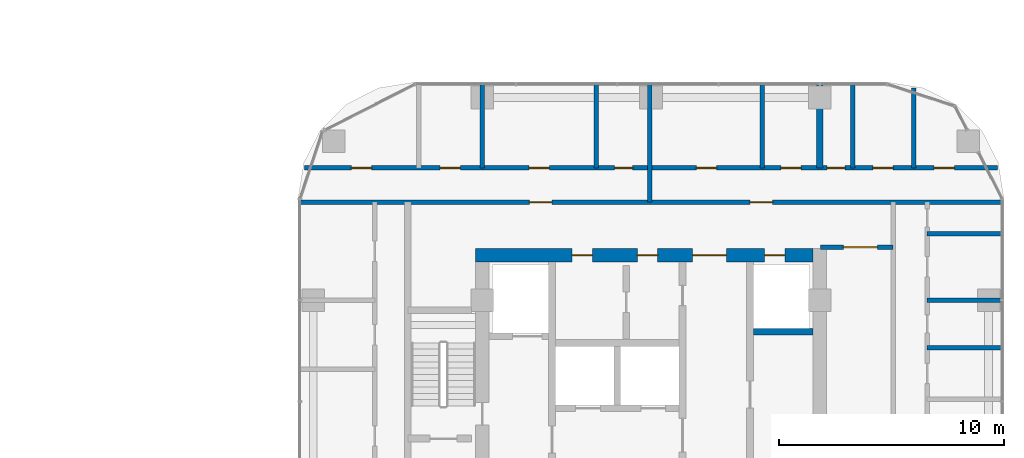
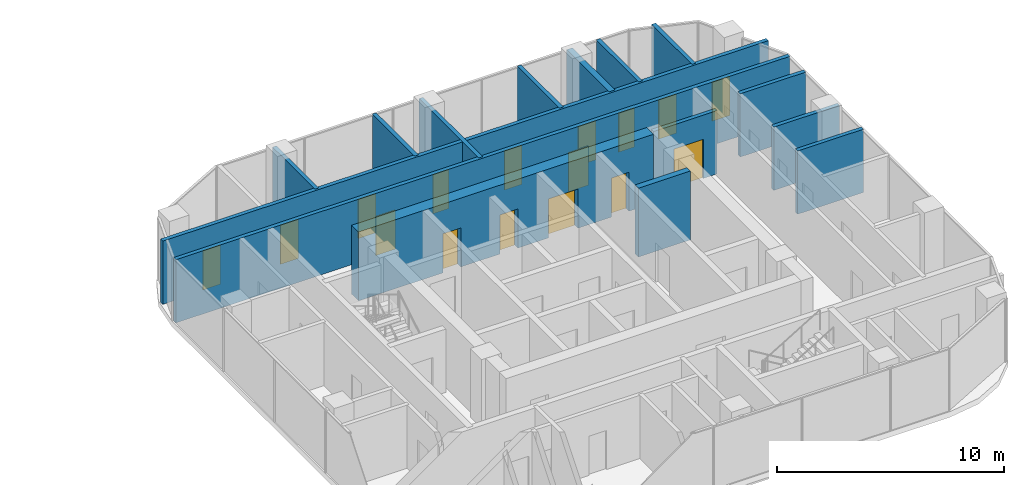
# One storey, part 23 of 31: 16 doors, 15 walls, 16 openings.
"""IFC4 building model written with IfcOpenShell, lengths in metres."""

from ifc_helpers import new_model, si_unit, direction, frame, frame_2d, origin, place, context, subcontext, project, spatial, rectangle, extrude, material, layer, layer_set, type_object, element, fill, save


model = new_model("IFC4")

# Units and contexts
model_context = context("Model", 3, precision=1e-05, world=origin(), true_north=direction((0.0, 1.0)))
body_context = subcontext(model_context, "Body", "Model", "MODEL_VIEW")
ifc_project = project(units=[si_unit("LENGTHUNIT", "METRE"), si_unit("AREAUNIT", "SQUARE_METRE"), si_unit("VOLUMEUNIT", "CUBIC_METRE"), si_unit("PLANEANGLEUNIT", "RADIAN"), si_unit("MASSUNIT", "GRAM", prefix="KILO")], contexts=[model_context])

# Site, building, storey
site_placement = place(None, origin())
site = spatial("IfcSite", under=ifc_project, at=site_placement, CompositionType="ELEMENT")
building_placement = place(site_placement, origin())
building = spatial("IfcBuilding", under=site, at=building_placement, Name="Ogive Portal Towers", CompositionType="ELEMENT")
storey_placement = place(building_placement, frame((0.0, 0.0, 40.89990234375)))
storey = spatial("IfcBuildingStorey", under=building, at=storey_placement, Name="L08", CompositionType="ELEMENT", Elevation=40.89990234375)

# Wall
ifc_material_1 = material(Name="Concrete C60/75", Category="concrete")
ifc_layer_1 = layer(ifc_material_1, 0.300048828125)
ifc_layer_set_1 = layer_set([ifc_layer_1], Name="CORE WALL 300 C60")
wall_type_1 = type_object("IfcWallType", Name="CORE WALL 300 C60", PredefinedType="SHEAR", material=ifc_layer_set_1)
wall_1_placement = place(storey_placement, frame((141.050048828125, 34.10009765625, 0.0), z_axis=(0.0, 0.0, 1.0), x_axis=(1.0, 0.0, 0.0)))
element("IfcWall", 1, at=wall_1_placement, inside=storey, type_object=wall_type_1, Name="Tower B core wall BY7 L08", PredefinedType="SHEAR", context=body_context, shape_type="SweptSolid", body=[
    extrude(rectangle(XDim=2.64990234375, YDim=0.300048828125, at=frame_2d((1.324951171875, 0.0))), origin(), (0.0, 0.0, 1.0), 3.7001953125),
])

# Wall, openings, doors
ifc_layer_2 = layer(ifc_material_1, 0.60009765625)
ifc_layer_set_2 = layer_set([ifc_layer_2], Name="CORE WALL 600 C60")
wall_type_2 = type_object("IfcWallType", Name="CORE WALL 600 C60", PredefinedType="SHEAR", material=ifc_layer_set_2)
wall_2_placement = place(storey_placement, frame((128.699951171875, 37.5, 0.0), z_axis=(0.0, 0.0, 1.0), x_axis=(1.0, 0.0, 0.0)))
wall_2 = element("IfcWall", 2, at=wall_2_placement, inside=storey, type_object=wall_type_2, Name="Tower B core wall BN L08", PredefinedType="SHEAR", context=body_context, shape_type="SweptSolid", body=[
    extrude(rectangle(XDim=15.0, YDim=0.60009765625, at=frame_2d((7.5, 0.0))), origin(), (0.0, 0.0, 1.0), 3.7001953125),
])
opening_1_placement = place(wall_2_placement, frame((9.64990234375, 0.0, 0.0)))
opening_1 = element("IfcOpeningElement", 3, at=opening_1_placement, cuts=wall_2, Name="Opening B01-048", PredefinedType="OPENING", context=body_context, shape_type="SweptSolid", body=[
    extrude(rectangle(XDim=1.5, YDim=2.10009765625, at=frame_2d((0.75, 1.050048828125))), frame((0.0, 0.31005859375, 0.0), z_axis=(0.0, -1.0, 0.0), x_axis=(1.0, 0.0, 0.0)), (0.0, 0.0, 1.0), 0.6201171875),
])
opening_2_placement = place(wall_2_placement, frame((12.85009765625, 0.0, 0.0)))
opening_2 = element("IfcOpeningElement", 4, at=opening_2_placement, cuts=wall_2, Name="Opening B01-050", PredefinedType="OPENING", context=body_context, shape_type="SweptSolid", body=[
    extrude(rectangle(XDim=0.89990234375, YDim=2.10009765625, at=frame_2d((0.449951171875, 1.050048828125))), frame((0.0, 0.31005859375, 0.0), z_axis=(0.0, -1.0, 0.0), x_axis=(1.0, 0.0, 0.0)), (0.0, 0.0, 1.0), 0.6201171875),
])
opening_3_placement = place(wall_2_placement, frame((4.300048828125, 0.0, 0.0)))
opening_3 = element("IfcOpeningElement", 5, at=opening_3_placement, cuts=wall_2, Name="Opening B01-057", PredefinedType="OPENING", context=body_context, shape_type="SweptSolid", body=[
    extrude(rectangle(XDim=0.89990234375, YDim=2.10009765625, at=frame_2d((0.449951171875, 1.050048828125))), frame((0.0, 0.31005859375, 0.0), z_axis=(0.0, -1.0, 0.0), x_axis=(1.0, 0.0, 0.0)), (0.0, 0.0, 1.0), 0.6201171875),
])
opening_4_placement = place(wall_2_placement, frame((7.199951171875, 0.0, 0.0)))
opening_4 = element("IfcOpeningElement", 6, at=opening_4_placement, cuts=wall_2, Name="Opening B01-058", PredefinedType="OPENING", context=body_context, shape_type="SweptSolid", body=[
    extrude(rectangle(XDim=0.89990234375, YDim=2.10009765625, at=frame_2d((0.449951171875, 1.050048828125))), frame((0.0, 0.31005859375, 0.0), z_axis=(0.0, -1.0, 0.0), x_axis=(1.0, 0.0, 0.0)), (0.0, 0.0, 1.0), 0.6201171875),
])
ifc_material_2 = material(Name="Steel fire door", Category="steel")
door_type_1 = type_object("IfcDoorType", Name="DT-SWING-1500x2100-FD90S", OperationType="SINGLE_SWING_LEFT", PredefinedType="DOOR", material=ifc_material_2)
door_1_placement = place(opening_1_placement, origin())
door_1 = element("IfcDoor", 7, at=door_1_placement, inside=storey, type_object=door_type_1, Name="Door B01-048", OperationType="SINGLE_SWING_RIGHT", OverallHeight=2.10009765625, OverallWidth=1.5, PredefinedType="DOOR", context=body_context, shape_type="SweptSolid", body=[
    extrude(rectangle(XDim=1.5, YDim=2.10009765625, at=frame_2d((0.75, 1.050048828125))), frame((0.0, 0.02490234375, 0.0), z_axis=(0.0, -1.0, 0.0), x_axis=(1.0, 0.0, 0.0)), (0.0, 0.0, 1.0), 0.050048828125),
])
fill(opening_1, door_1)
door_type_2 = type_object("IfcDoorType", Name="DT-SWING-900x2100-FD90S", OperationType="SINGLE_SWING_LEFT", PredefinedType="DOOR", material=ifc_material_2)
door_2_placement = place(opening_2_placement, origin())
door_2 = element("IfcDoor", 8, at=door_2_placement, inside=storey, type_object=door_type_2, Name="Riser access door B01-050", OperationType="SINGLE_SWING_RIGHT", OverallHeight=2.10009765625, OverallWidth=0.89990234375, PredefinedType="DOOR", context=body_context, shape_type="SweptSolid", body=[
    extrude(rectangle(XDim=0.89990234375, YDim=2.10009765625, at=frame_2d((0.449951171875, 1.050048828125))), frame((0.0, 0.02490234375, 0.0), z_axis=(0.0, -1.0, 0.0), x_axis=(1.0, 0.0, 0.0)), (0.0, 0.0, 1.0), 0.050048828125),
])
fill(opening_2, door_2)
door_3_placement = place(opening_3_placement, origin())
door_3 = element("IfcDoor", 9, at=door_3_placement, inside=storey, type_object=door_type_2, Name="Door B01-057", OperationType="SINGLE_SWING_LEFT", OverallHeight=2.10009765625, OverallWidth=0.89990234375, PredefinedType="DOOR", context=body_context, shape_type="SweptSolid", body=[
    extrude(rectangle(XDim=0.89990234375, YDim=2.10009765625, at=frame_2d((0.449951171875, 1.050048828125))), frame((0.0, 0.02490234375, 0.0), z_axis=(0.0, -1.0, 0.0), x_axis=(1.0, 0.0, 0.0)), (0.0, 0.0, 1.0), 0.050048828125),
])
fill(opening_3, door_3)
door_4_placement = place(opening_4_placement, origin())
door_4 = element("IfcDoor", 10, at=door_4_placement, inside=storey, type_object=door_type_2, Name="Door B01-058", OperationType="SINGLE_SWING_RIGHT", OverallHeight=2.10009765625, OverallWidth=0.89990234375, PredefinedType="DOOR", context=body_context, shape_type="SweptSolid", body=[
    extrude(rectangle(XDim=0.89990234375, YDim=2.10009765625, at=frame_2d((0.449951171875, 1.050048828125))), frame((0.0, 0.02490234375, 0.0), z_axis=(0.0, -1.0, 0.0), x_axis=(1.0, 0.0, 0.0)), (0.0, 0.0, 1.0), 0.050048828125),
])
fill(opening_4, door_4)

# Walls
ifc_material_3 = material(Name="Gypsum board partition on steel studs", Category="steel")
ifc_layer_3 = layer(ifc_material_3, 0.199951171875)
ifc_layer_set_3 = layer_set([ifc_layer_3], Name="WT-PART-200-EI 60")
wall_type_3 = type_object("IfcWallType", Name="WT-PART-200-EI 60", PredefinedType="PARTITIONING", material=ifc_layer_set_3)
for number, where, z_axis, x_axis, name in (
    (11, (148.77001953125, 33.39111328125, 0.0), (0.0, 0.0, 1.0), (1.0, 0.0, 0.0), "Wall L08:w013"),
    (12, (148.77001953125, 35.5, 0.0), (0.0, 0.0, 1.0), (1.0, 0.0, 0.0), "Wall L08:w016"),
):
    element("IfcWall", number, at=place(storey_placement, frame(where, z_axis=z_axis, x_axis=x_axis)), inside=storey, type_object=wall_type_3, Name=name, PredefinedType="PARTITIONING", context=body_context, shape_type="SweptSolid", body=[
        extrude(rectangle(XDim=3.340087890625, YDim=0.199951171875, at=frame_2d((1.669921875, 0.0))), origin(), (0.0, 0.0, 1.0), 3.400146484375),
    ])

# Wall, opening, door
wall_3_placement = place(storey_placement, frame((144.02001953125, 37.85009765625, 0.0), z_axis=(0.0, 0.0, 1.0), x_axis=(1.0, 0.0, 0.0)))
wall_3 = element("IfcWall", 13, at=wall_3_placement, inside=storey, type_object=wall_type_3, Name="Wall L08:w018", PredefinedType="PARTITIONING", context=body_context, shape_type="SweptSolid", body=[
    extrude(rectangle(XDim=3.22998046875, YDim=0.199951171875, at=frame_2d((1.614990234375, 0.0))), origin(), (0.0, 0.0, 1.0), 3.400146484375),
])
opening_5_placement = place(wall_3_placement, frame((1.030029296875, 0.0, 0.0)))
opening_5 = element("IfcOpeningElement", 14, at=opening_5_placement, cuts=wall_3, Name="Opening B01-001", PredefinedType="OPENING", context=body_context, shape_type="SweptSolid", body=[
    extrude(rectangle(XDim=1.5, YDim=2.10009765625, at=frame_2d((0.75, 1.050048828125))), frame((0.0, 0.10986328125, 0.0), z_axis=(0.0, -1.0, 0.0), x_axis=(1.0, 0.0, 0.0)), (0.0, 0.0, 1.0), 0.219970703125),
])
door_type_3 = type_object("IfcDoorType", Name="DT-SWING-1500x2100-FD60S", OperationType="SINGLE_SWING_LEFT", PredefinedType="DOOR", material=ifc_material_2)
door_5_placement = place(opening_5_placement, origin())
door_5 = element("IfcDoor", 15, at=door_5_placement, inside=storey, type_object=door_type_3, Name="Door B01-001", OperationType="SINGLE_SWING_LEFT", OverallHeight=2.10009765625, OverallWidth=1.5, PredefinedType="DOOR", context=body_context, shape_type="SweptSolid", body=[
    extrude(rectangle(XDim=1.5, YDim=2.10009765625, at=frame_2d((0.75, 1.050048828125))), frame((0.0, 0.02490234375, 0.0), z_axis=(0.0, -1.0, 0.0), x_axis=(1.0, 0.0, 0.0)), (0.0, 0.0, 1.0), 0.050048828125),
])
fill(opening_5, door_5)

# Wall
wall_4_placement = place(storey_placement, frame((148.77001953125, 38.4560546875, 0.0), z_axis=(0.0, 0.0, 1.0), x_axis=(1.0, 0.0, 0.0)))
element("IfcWall", 16, at=wall_4_placement, inside=storey, type_object=wall_type_3, Name="Wall L08:w019", PredefinedType="PARTITIONING", context=body_context, shape_type="SweptSolid", body=[
    extrude(rectangle(XDim=3.340087890625, YDim=0.199951171875, at=frame_2d((1.669921875, 0.0))), origin(), (0.0, 0.0, 1.0), 3.400146484375),
])

# Wall, openings, doors
wall_5_placement = place(storey_placement, frame((120.889892578125, 39.85009765625, 0.0), z_axis=(0.0, 0.0, 1.0), x_axis=(1.0, 0.0, 0.0)))
wall_5 = element("IfcWall", 17, at=wall_5_placement, inside=storey, type_object=wall_type_3, Name="Wall L08:w020", PredefinedType="PARTITIONING", context=body_context, shape_type="SweptSolid", body=[
    extrude(rectangle(XDim=31.22021484375, YDim=0.199951171875, at=frame_2d((15.610107421875, 0.0))), origin(), (0.0, 0.0, 1.0), 3.400146484375),
])
opening_6_placement = place(wall_5_placement, frame((10.2099609375, 0.0, 0.0)))
opening_6 = element("IfcOpeningElement", 18, at=opening_6_placement, cuts=wall_5, Name="Opening B01-005", PredefinedType="OPENING", context=body_context, shape_type="SweptSolid", body=[
    extrude(rectangle(XDim=1.0, YDim=2.10009765625, at=frame_2d((0.5, 1.050048828125))), frame((0.0, 0.10986328125, 0.0), z_axis=(0.0, -1.0, 0.0), x_axis=(1.0, 0.0, 0.0)), (0.0, 0.0, 1.0), 0.219970703125),
])
opening_7_placement = place(wall_5_placement, frame((20.010009765625, 0.0, 0.0)))
opening_7 = element("IfcOpeningElement", 19, at=opening_7_placement, cuts=wall_5, Name="Opening B01-010", PredefinedType="OPENING", context=body_context, shape_type="SweptSolid", body=[
    extrude(rectangle(XDim=1.0, YDim=2.10009765625, at=frame_2d((0.5, 1.050048828125))), frame((0.0, 0.10986328125, 0.0), z_axis=(0.0, -1.0, 0.0), x_axis=(1.0, 0.0, 0.0)), (0.0, 0.0, 1.0), 0.219970703125),
])
door_type_4 = type_object("IfcDoorType", Name="DT-SWING-1000x2100-FD60S", OperationType="SINGLE_SWING_LEFT", PredefinedType="DOOR", material=ifc_material_2)
door_6_placement = place(opening_6_placement, origin())
door_6 = element("IfcDoor", 20, at=door_6_placement, inside=storey, type_object=door_type_4, Name="Door B01-005", OperationType="SINGLE_SWING_LEFT", OverallHeight=2.10009765625, OverallWidth=1.0, PredefinedType="DOOR", context=body_context, shape_type="SweptSolid", body=[
    extrude(rectangle(XDim=1.0, YDim=2.10009765625, at=frame_2d((0.5, 1.050048828125))), frame((0.0, 0.02490234375, 0.0), z_axis=(0.0, -1.0, 0.0), x_axis=(1.0, 0.0, 0.0)), (0.0, 0.0, 1.0), 0.050048828125),
])
fill(opening_6, door_6)
door_7_placement = place(opening_7_placement, origin())
door_7 = element("IfcDoor", 21, at=door_7_placement, inside=storey, type_object=door_type_4, Name="Door B01-010", OperationType="SINGLE_SWING_RIGHT", OverallHeight=2.10009765625, OverallWidth=1.0, PredefinedType="DOOR", context=body_context, shape_type="SweptSolid", body=[
    extrude(rectangle(XDim=1.0, YDim=2.10009765625, at=frame_2d((0.5, 1.050048828125))), frame((0.0, 0.02490234375, 0.0), z_axis=(0.0, -1.0, 0.0), x_axis=(1.0, 0.0, 0.0)), (0.0, 0.0, 1.0), 0.050048828125),
])
fill(opening_7, door_7)

wall_6_placement = place(storey_placement, frame((121.10791015625, 41.3701171875, 0.0), z_axis=(0.0, 0.0, 1.0), x_axis=(1.0, 0.0, 0.0)))
wall_6 = element("IfcWall", 22, at=wall_6_placement, inside=storey, type_object=wall_type_3, Name="Wall L08:w021", PredefinedType="PARTITIONING", context=body_context, shape_type="SweptSolid", body=[
    extrude(rectangle(XDim=30.7841796875, YDim=0.199951171875, at=frame_2d((15.39208984375, 0.0))), origin(), (0.0, 0.0, 1.0), 3.400146484375),
])
opening_8_placement = place(wall_6_placement, frame((2.0810546875, 0.0, 0.0)))
opening_8 = element("IfcOpeningElement", 23, at=opening_8_placement, cuts=wall_6, Name="Opening B01-006", PredefinedType="OPENING", context=body_context, shape_type="SweptSolid", body=[
    extrude(rectangle(XDim=0.89990234375, YDim=2.10009765625, at=frame_2d((0.449951171875, 1.050048828125))), frame((0.0, 0.10986328125, 0.0), z_axis=(0.0, -1.0, 0.0), x_axis=(1.0, 0.0, 0.0)), (0.0, 0.0, 1.0), 0.219970703125),
])
opening_9_placement = place(wall_6_placement, frame((6.029052734375, 0.0, 0.0)))
opening_9 = element("IfcOpeningElement", 24, at=opening_9_placement, cuts=wall_6, Name="Opening B01-007", PredefinedType="OPENING", context=body_context, shape_type="SweptSolid", body=[
    extrude(rectangle(XDim=0.89990234375, YDim=2.10009765625, at=frame_2d((0.449951171875, 1.050048828125))), frame((0.0, 0.10986328125, 0.0), z_axis=(0.0, -1.0, 0.0), x_axis=(1.0, 0.0, 0.0)), (0.0, 0.0, 1.0), 0.219970703125),
])
opening_10_placement = place(wall_6_placement, frame((9.97607421875, 0.0, 0.0)))
opening_10 = element("IfcOpeningElement", 25, at=opening_10_placement, cuts=wall_6, Name="Opening B01-008", PredefinedType="OPENING", context=body_context, shape_type="SweptSolid", body=[
    extrude(rectangle(XDim=0.89990234375, YDim=2.10009765625, at=frame_2d((0.449951171875, 1.050048828125))), frame((0.0, 0.10986328125, 0.0), z_axis=(0.0, -1.0, 0.0), x_axis=(1.0, 0.0, 0.0)), (0.0, 0.0, 1.0), 0.219970703125),
])
opening_11_placement = place(wall_6_placement, frame((13.77587890625, 0.0, 0.0)))
opening_11 = element("IfcOpeningElement", 26, at=opening_11_placement, cuts=wall_6, Name="Opening B01-009", PredefinedType="OPENING", context=body_context, shape_type="SweptSolid", body=[
    extrude(rectangle(XDim=0.800048828125, YDim=2.10009765625, at=frame_2d((0.39990234375, 1.050048828125))), frame((0.0, 0.10986328125, 0.0), z_axis=(0.0, -1.0, 0.0), x_axis=(1.0, 0.0, 0.0)), (0.0, 0.0, 1.0), 0.219970703125),
])
opening_12_placement = place(wall_6_placement, frame((17.408935546875, 0.0, 0.0)))
opening_12 = element("IfcOpeningElement", 27, at=opening_12_placement, cuts=wall_6, Name="Opening B01-011", PredefinedType="OPENING", context=body_context, shape_type="SweptSolid", body=[
    extrude(rectangle(XDim=0.89990234375, YDim=2.10009765625, at=frame_2d((0.449951171875, 1.050048828125))), frame((0.0, 0.10986328125, 0.0), z_axis=(0.0, -1.0, 0.0), x_axis=(1.0, 0.0, 0.0)), (0.0, 0.0, 1.0), 0.219970703125),
])
opening_13_placement = place(wall_6_placement, frame((21.158935546875, 0.0, 0.0)))
opening_13 = element("IfcOpeningElement", 28, at=opening_13_placement, cuts=wall_6, Name="Opening B01-012", PredefinedType="OPENING", context=body_context, shape_type="SweptSolid", body=[
    extrude(rectangle(XDim=0.89990234375, YDim=2.10009765625, at=frame_2d((0.449951171875, 1.050048828125))), frame((0.0, 0.10986328125, 0.0), z_axis=(0.0, -1.0, 0.0), x_axis=(1.0, 0.0, 0.0)), (0.0, 0.0, 1.0), 0.219970703125),
])
opening_14_placement = place(wall_6_placement, frame((23.218994140625, 0.0, 0.0)))
opening_14 = element("IfcOpeningElement", 29, at=opening_14_placement, cuts=wall_6, Name="Opening B01-013", PredefinedType="OPENING", context=body_context, shape_type="SweptSolid", body=[
    extrude(rectangle(XDim=0.800048828125, YDim=2.10009765625, at=frame_2d((0.39990234375, 1.050048828125))), frame((0.0, 0.10986328125, 0.0), z_axis=(0.0, -1.0, 0.0), x_axis=(1.0, 0.0, 0.0)), (0.0, 0.0, 1.0), 0.219970703125),
])
opening_15_placement = place(wall_6_placement, frame((25.25, 0.0, 0.0)))
opening_15 = element("IfcOpeningElement", 30, at=opening_15_placement, cuts=wall_6, Name="Opening B01-014", PredefinedType="OPENING", context=body_context, shape_type="SweptSolid", body=[
    extrude(rectangle(XDim=0.89990234375, YDim=2.10009765625, at=frame_2d((0.449951171875, 1.050048828125))), frame((0.0, 0.10986328125, 0.0), z_axis=(0.0, -1.0, 0.0), x_axis=(1.0, 0.0, 0.0)), (0.0, 0.0, 1.0), 0.219970703125),
])
opening_16_placement = place(wall_6_placement, frame((27.969970703125, 0.0, 0.0)))
opening_16 = element("IfcOpeningElement", 31, at=opening_16_placement, cuts=wall_6, Name="Opening B01-015", PredefinedType="OPENING", context=body_context, shape_type="SweptSolid", body=[
    extrude(rectangle(XDim=0.89990234375, YDim=2.10009765625, at=frame_2d((0.449951171875, 1.050048828125))), frame((0.0, 0.10986328125, 0.0), z_axis=(0.0, -1.0, 0.0), x_axis=(1.0, 0.0, 0.0)), (0.0, 0.0, 1.0), 0.219970703125),
])
door_type_5 = type_object("IfcDoorType", Name="DT-SWING-800x2100-FD60S", OperationType="SINGLE_SWING_LEFT", PredefinedType="DOOR", material=ifc_material_2)
door_8_placement = place(opening_11_placement, origin())
door_8 = element("IfcDoor", 32, at=door_8_placement, inside=storey, type_object=door_type_5, Name="Door B01-009", OperationType="SINGLE_SWING_LEFT", OverallHeight=2.10009765625, OverallWidth=0.800048828125, PredefinedType="DOOR", context=body_context, shape_type="SweptSolid", body=[
    extrude(rectangle(XDim=0.800048828125, YDim=2.10009765625, at=frame_2d((0.39990234375, 1.050048828125))), frame((0.0, 0.02490234375, 0.0), z_axis=(0.0, -1.0, 0.0), x_axis=(1.0, 0.0, 0.0)), (0.0, 0.0, 1.0), 0.050048828125),
])
fill(opening_11, door_8)
door_9_placement = place(opening_14_placement, origin())
door_9 = element("IfcDoor", 33, at=door_9_placement, inside=storey, type_object=door_type_5, Name="Door B01-013", OperationType="SINGLE_SWING_LEFT", OverallHeight=2.10009765625, OverallWidth=0.800048828125, PredefinedType="DOOR", context=body_context, shape_type="SweptSolid", body=[
    extrude(rectangle(XDim=0.800048828125, YDim=2.10009765625, at=frame_2d((0.39990234375, 1.050048828125))), frame((0.0, 0.02490234375, 0.0), z_axis=(0.0, -1.0, 0.0), x_axis=(1.0, 0.0, 0.0)), (0.0, 0.0, 1.0), 0.050048828125),
])
fill(opening_14, door_9)
door_type_6 = type_object("IfcDoorType", Name="DT-SWING-900x2100-FD60S", OperationType="SINGLE_SWING_LEFT", PredefinedType="DOOR", material=ifc_material_2)
door_10_placement = place(opening_8_placement, origin())
door_10 = element("IfcDoor", 34, at=door_10_placement, inside=storey, type_object=door_type_6, Name="Door B01-006", OperationType="SINGLE_SWING_RIGHT", OverallHeight=2.10009765625, OverallWidth=0.89990234375, PredefinedType="DOOR", context=body_context, shape_type="SweptSolid", body=[
    extrude(rectangle(XDim=0.89990234375, YDim=2.10009765625, at=frame_2d((0.449951171875, 1.050048828125))), frame((0.0, 0.02490234375, 0.0), z_axis=(0.0, -1.0, 0.0), x_axis=(1.0, 0.0, 0.0)), (0.0, 0.0, 1.0), 0.050048828125),
])
fill(opening_8, door_10)
door_11_placement = place(opening_9_placement, origin())
door_11 = element("IfcDoor", 35, at=door_11_placement, inside=storey, type_object=door_type_6, Name="Door B01-007", OperationType="SINGLE_SWING_LEFT", OverallHeight=2.10009765625, OverallWidth=0.89990234375, PredefinedType="DOOR", context=body_context, shape_type="SweptSolid", body=[
    extrude(rectangle(XDim=0.89990234375, YDim=2.10009765625, at=frame_2d((0.449951171875, 1.050048828125))), frame((0.0, 0.02490234375, 0.0), z_axis=(0.0, -1.0, 0.0), x_axis=(1.0, 0.0, 0.0)), (0.0, 0.0, 1.0), 0.050048828125),
])
fill(opening_9, door_11)
door_12_placement = place(opening_10_placement, origin())
door_12 = element("IfcDoor", 36, at=door_12_placement, inside=storey, type_object=door_type_6, Name="Door B01-008", OperationType="SINGLE_SWING_RIGHT", OverallHeight=2.10009765625, OverallWidth=0.89990234375, PredefinedType="DOOR", context=body_context, shape_type="SweptSolid", body=[
    extrude(rectangle(XDim=0.89990234375, YDim=2.10009765625, at=frame_2d((0.449951171875, 1.050048828125))), frame((0.0, 0.02490234375, 0.0), z_axis=(0.0, -1.0, 0.0), x_axis=(1.0, 0.0, 0.0)), (0.0, 0.0, 1.0), 0.050048828125),
])
fill(opening_10, door_12)
door_13_placement = place(opening_12_placement, origin())
door_13 = element("IfcDoor", 37, at=door_13_placement, inside=storey, type_object=door_type_6, Name="Door B01-011", OperationType="SINGLE_SWING_LEFT", OverallHeight=2.10009765625, OverallWidth=0.89990234375, PredefinedType="DOOR", context=body_context, shape_type="SweptSolid", body=[
    extrude(rectangle(XDim=0.89990234375, YDim=2.10009765625, at=frame_2d((0.449951171875, 1.050048828125))), frame((0.0, 0.02490234375, 0.0), z_axis=(0.0, -1.0, 0.0), x_axis=(1.0, 0.0, 0.0)), (0.0, 0.0, 1.0), 0.050048828125),
])
fill(opening_12, door_13)
door_14_placement = place(opening_13_placement, origin())
door_14 = element("IfcDoor", 38, at=door_14_placement, inside=storey, type_object=door_type_6, Name="Door B01-012", OperationType="SINGLE_SWING_RIGHT", OverallHeight=2.10009765625, OverallWidth=0.89990234375, PredefinedType="DOOR", context=body_context, shape_type="SweptSolid", body=[
    extrude(rectangle(XDim=0.89990234375, YDim=2.10009765625, at=frame_2d((0.449951171875, 1.050048828125))), frame((0.0, 0.02490234375, 0.0), z_axis=(0.0, -1.0, 0.0), x_axis=(1.0, 0.0, 0.0)), (0.0, 0.0, 1.0), 0.050048828125),
])
fill(opening_13, door_14)
door_15_placement = place(opening_15_placement, origin())
door_15 = element("IfcDoor", 39, at=door_15_placement, inside=storey, type_object=door_type_6, Name="Door B01-014", OperationType="SINGLE_SWING_RIGHT", OverallHeight=2.10009765625, OverallWidth=0.89990234375, PredefinedType="DOOR", context=body_context, shape_type="SweptSolid", body=[
    extrude(rectangle(XDim=0.89990234375, YDim=2.10009765625, at=frame_2d((0.449951171875, 1.050048828125))), frame((0.0, 0.02490234375, 0.0), z_axis=(0.0, -1.0, 0.0), x_axis=(1.0, 0.0, 0.0)), (0.0, 0.0, 1.0), 0.050048828125),
])
fill(opening_15, door_15)
door_16_placement = place(opening_16_placement, origin())
door_16 = element("IfcDoor", 40, at=door_16_placement, inside=storey, type_object=door_type_6, Name="Door B01-015", OperationType="SINGLE_SWING_LEFT", OverallHeight=2.10009765625, OverallWidth=0.89990234375, PredefinedType="DOOR", context=body_context, shape_type="SweptSolid", body=[
    extrude(rectangle(XDim=0.89990234375, YDim=2.10009765625, at=frame_2d((0.449951171875, 1.050048828125))), frame((0.0, 0.02490234375, 0.0), z_axis=(0.0, -1.0, 0.0), x_axis=(1.0, 0.0, 0.0)), (0.0, 0.0, 1.0), 0.050048828125),
])
fill(opening_16, door_16)

# Walls
for number, where, z_axis, x_axis, name in (
    (41, (129.0, 41.3701171875, 0.0), (0.0, 0.0, 1.0), (0.0, 1.0, 0.0), "Wall L08:w030"),
    (42, (134.069091796875, 41.3701171875, 0.0), (0.0, 0.0, 1.0), (0.0, 1.0, 0.0), "Wall L08:w032"),
):
    element("IfcWall", number, at=place(storey_placement, frame(where, z_axis=z_axis, x_axis=x_axis)), inside=storey, type_object=wall_type_3, Name=name, PredefinedType="PARTITIONING", context=body_context, shape_type="SweptSolid", body=[
        extrude(rectangle(XDim=3.739990234375, YDim=0.199951171875, at=frame_2d((1.8701171875, 0.0))), origin(), (0.0, 0.0, 1.0), 3.400146484375),
    ])
wall_7_placement = place(storey_placement, frame((136.449951171875, 39.85009765625, 0.0), z_axis=(0.0, 0.0, 1.0), x_axis=(0.0, 1.0, 0.0)))
element("IfcWall", 43, at=wall_7_placement, inside=storey, type_object=wall_type_3, Name="Wall L08:w036", PredefinedType="PARTITIONING", context=body_context, shape_type="SweptSolid", body=[
    extrude(rectangle(XDim=5.260009765625, YDim=0.199951171875, at=frame_2d((2.6298828125, 0.0))), origin(), (0.0, 0.0, 1.0), 3.400146484375),
])
for number, where, z_axis, x_axis, name in (
    (44, (141.43310546875, 41.3701171875, 0.0), (0.0, 0.0, 1.0), (0.0, 1.0, 0.0), "Wall L08:w038"),
    (45, (145.4541015625, 41.3701171875, 0.0), (0.0, 0.0, 1.0), (0.0, 1.0, 0.0), "Wall L08:w044"),
):
    element("IfcWall", number, at=place(storey_placement, frame(where, z_axis=z_axis, x_axis=x_axis)), inside=storey, type_object=wall_type_3, Name=name, PredefinedType="PARTITIONING", context=body_context, shape_type="SweptSolid", body=[
        extrude(rectangle(XDim=3.739990234375, YDim=0.199951171875, at=frame_2d((1.8701171875, 0.0))), origin(), (0.0, 0.0, 1.0), 3.400146484375),
    ])
wall_8_placement = place(storey_placement, frame((148.162109375, 41.3701171875, 0.0), z_axis=(0.0, 0.0, 1.0), x_axis=(0.0, 1.0, 0.0)))
element("IfcWall", 46, at=wall_8_placement, inside=storey, type_object=wall_type_3, Name="Wall L08:w047", PredefinedType="PARTITIONING", context=body_context, shape_type="SweptSolid", body=[
    extrude(rectangle(XDim=3.554931640625, YDim=0.199951171875, at=frame_2d((1.77734375, 0.0))), origin(), (0.0, 0.0, 1.0), 3.400146484375),
])
ifc_layer_4 = layer(ifc_material_3, 0.300048828125)
ifc_layer_set_4 = layer_set([ifc_layer_4], Name="WT-PART-300-EI 60")
wall_type_4 = type_object("IfcWallType", Name="WT-PART-300-EI 60", PredefinedType="PARTITIONING", material=ifc_layer_set_4)
wall_9_placement = place(storey_placement, frame((144.0, 41.3701171875, 0.0), z_axis=(0.0, 0.0, 1.0), x_axis=(0.0, 1.0, 0.0)))
element("IfcWall", 47, at=wall_9_placement, inside=storey, type_object=wall_type_4, Name="Wall L08:w040", PredefinedType="PARTITIONING", context=body_context, shape_type="SweptSolid", body=[
    extrude(rectangle(XDim=3.739990234375, YDim=0.300048828125, at=frame_2d((1.8701171875, 0.0))), origin(), (0.0, 0.0, 1.0), 3.400146484375),
])

save(model, "model.ifc")
